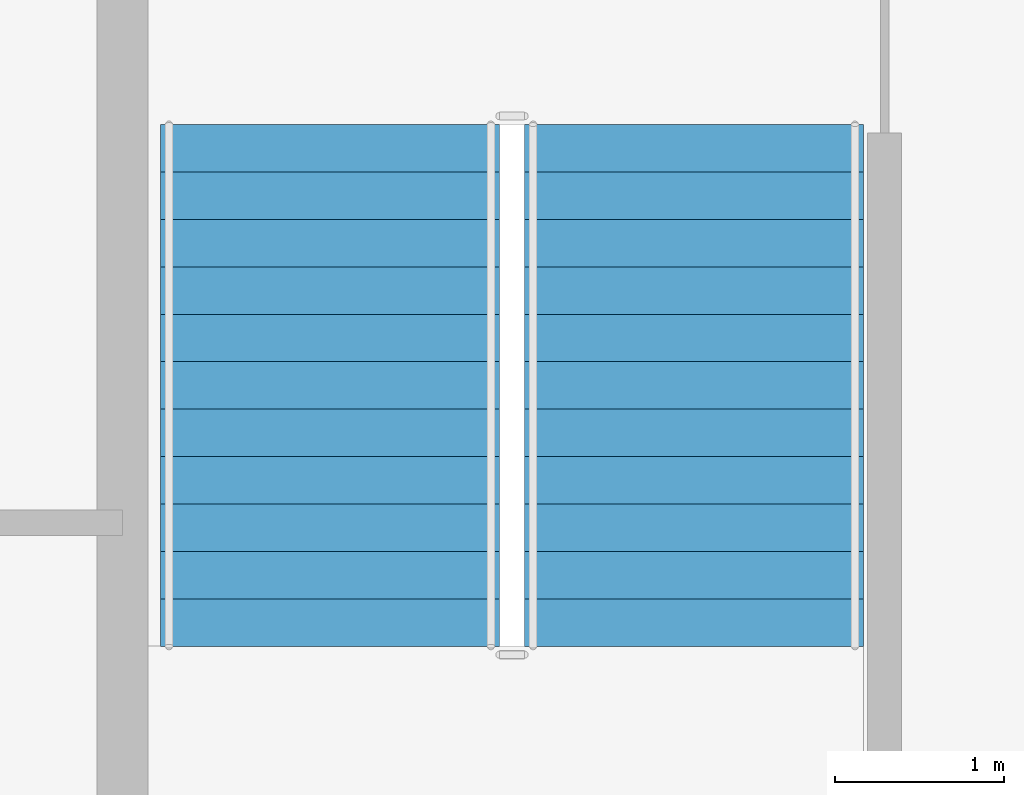
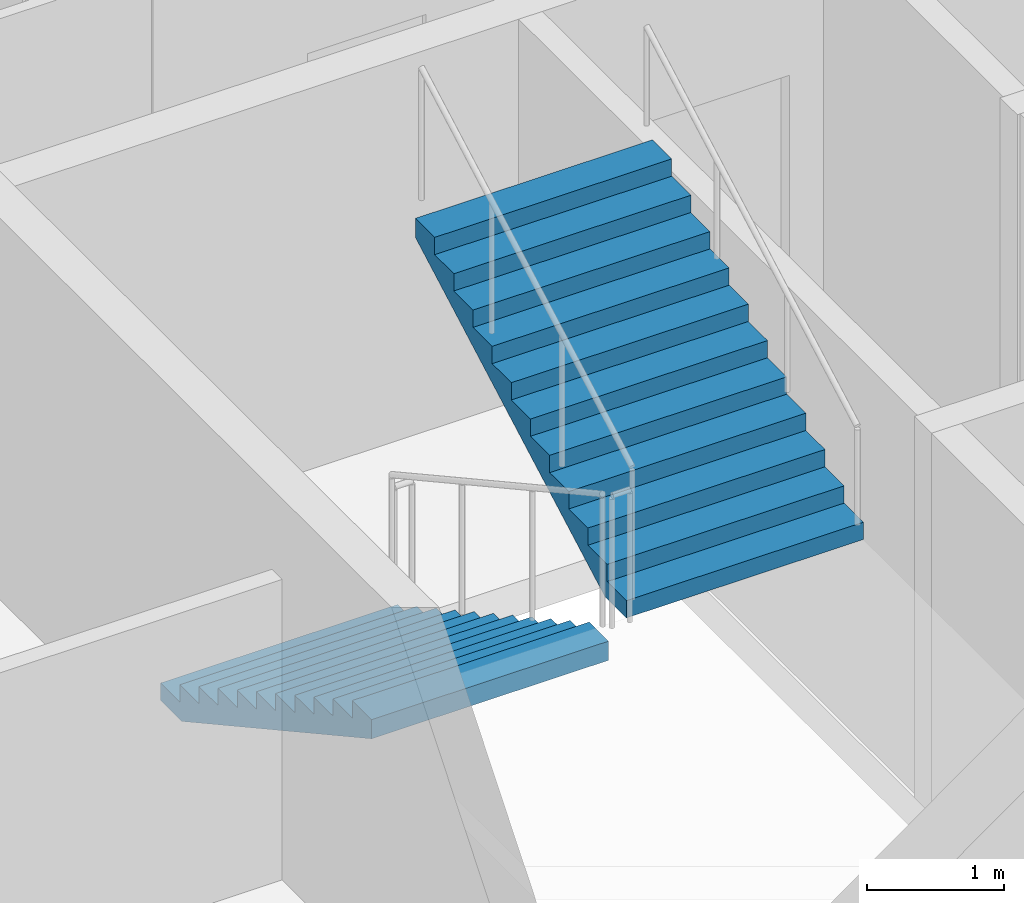
# One storey, part 7 of 11: 2 stair flights, 1 element without a shape of its own.
"""IFC4 building model written with IfcOpenShell, lengths in metres."""

from ifc_helpers import new_model, si_unit, direction, frame, origin, place, context, subcontext, project, spatial, polygons, material, type_object, element, aggregate, save


model = new_model("IFC4")

# Units and contexts
model_context = context("Model", 3, precision=1e-05, world=origin(), true_north=direction((0.0, 1.0)))
body_context = subcontext(model_context, "Body", "Model", "MODEL_VIEW")
ifc_project = project(units=[si_unit("LENGTHUNIT", "METRE"), si_unit("AREAUNIT", "SQUARE_METRE"), si_unit("VOLUMEUNIT", "CUBIC_METRE"), si_unit("PLANEANGLEUNIT", "RADIAN"), si_unit("MASSUNIT", "GRAM", prefix="KILO")], contexts=[model_context])

# Site, building, storey
site_placement = place(None, origin())
site = spatial("IfcSite", under=ifc_project, at=site_placement, CompositionType="ELEMENT")
building_placement = place(site_placement, origin())
building = spatial("IfcBuilding", under=site, at=building_placement, Name="Caravel Reach Hotel and Residences", CompositionType="ELEMENT")
storey_placement = place(building_placement, frame((0.0, 0.0, 263.800048828125)))
storey = spatial("IfcBuildingStorey", under=building, at=storey_placement, Name="L67", CompositionType="ELEMENT", Elevation=263.800048828125)

# Stair, stair flights
ifc_material_1 = material(Name="Concrete C40", Category="concrete")
stair_type = type_object("IfcStairType", Name="Core stair", PredefinedType="HALF_TURN_STAIR", material=ifc_material_1)
stair_placement = place(storey_placement, origin())
stair = element("IfcStair", 1, at=stair_placement, inside=storey, type_object=stair_type, Name="L67 Exit stair A", PredefinedType="HALF_TURN_STAIR")
ifc_material_2 = material(Name="Concrete C40", Category="concrete")
stair_flight_type = type_object("IfcStairFlightType", Name="Core stair flight", PredefinedType="STRAIGHT", material=ifc_material_2)
stair_flight_1_placement = place(storey_placement, frame((19.22509765625, 29.35009765625, 0.0), z_axis=(0.0, 0.0, 1.0), x_axis=(0.0, -1.0, 0.0)))
stair_flight_1 = element("IfcStairFlight", 2, at=stair_flight_1_placement, type_object=stair_flight_type, Name="ST-A flight 1", NumberOfRisers=12, NumberOfTreads=11, PredefinedType="STRAIGHT", RiserHeight=0.154166667, TreadLength=0.28, context=body_context, shape_type="Tessellation", body=[
    polygons([(0.3107950034306102, 1.0, 0.0), (0.3107950034306102, 0.6666666666666667, 0.0), (0.3107950034306102, 0.33333333333333337, 0.0), (0.3107950034306102, 0.0, 0.0), (0.3107950034306102, -0.33333333333333326, 0.0), (0.3107950034306102, -0.6666666666666667, 0.0), (0.3107950034306102, -1.0, 0.0), (3.081, 1.0, 1.524711087717319), (3.081, 0.6666666666666667, 1.524711087717319), (3.081, 0.33333333333333337, 1.524711087717319), (3.081, 0.0, 1.524711087717319), (3.081, -0.33333333333333326, 1.524711087717319), (3.081, -0.6666666666666667, 1.524711087717319), (3.081, -1.0, 1.524711087717319), (3.081, 1.0, 1.695833337), (3.081, 0.6666666666666667, 1.695833337), (3.081, 0.33333333333333337, 1.695833337), (3.081, 0.0, 1.695833337), (3.081, -0.33333333333333326, 1.695833337), (3.081, -0.6666666666666667, 1.695833337), (3.081, -1.0, 1.695833337), (2.8000000000000003, 1.0, 1.695833337), (2.8000000000000003, 0.6666666666666667, 1.695833337), (2.8000000000000003, 0.33333333333333337, 1.695833337), (2.8000000000000003, 0.0, 1.695833337), (2.8000000000000003, -0.33333333333333326, 1.695833337), (2.8000000000000003, -0.6666666666666667, 1.695833337), (2.8000000000000003, -1.0, 1.695833337), (2.8000000000000003, 1.0, 1.5416666700000001), (2.8000000000000003, 0.6666666666666667, 1.5416666700000001), (2.8000000000000003, 0.33333333333333337, 1.5416666700000001), (2.8000000000000003, 0.0, 1.5416666700000001), (2.8000000000000003, -0.33333333333333326, 1.5416666700000001), (2.8000000000000003, -0.6666666666666667, 1.5416666700000001), (2.8000000000000003, -1.0, 1.5416666700000001), (2.5200000000000005, 1.0, 1.5416666700000001), (2.5200000000000005, 0.6666666666666667, 1.5416666700000001), (2.5200000000000005, 0.33333333333333337, 1.5416666700000001), (2.5200000000000005, 0.0, 1.5416666700000001), (2.5200000000000005, -0.33333333333333326, 1.5416666700000001), (2.5200000000000005, -0.6666666666666667, 1.5416666700000001), (2.5200000000000005, -1.0, 1.5416666700000001), (2.5200000000000005, 1.0, 1.387500003), (2.5200000000000005, 0.6666666666666667, 1.387500003), (2.5200000000000005, 0.33333333333333337, 1.387500003), (2.5200000000000005, 0.0, 1.387500003), (2.5200000000000005, -0.33333333333333326, 1.387500003), (2.5200000000000005, -0.6666666666666667, 1.387500003), (2.5200000000000005, -1.0, 1.387500003), (2.24, 1.0, 1.387500003), (2.24, 0.6666666666666667, 1.387500003), (2.24, 0.33333333333333337, 1.387500003), (2.24, 0.0, 1.387500003), (2.24, -0.33333333333333326, 1.387500003), (2.24, -0.6666666666666667, 1.387500003), (2.24, -1.0, 1.387500003), (2.24, 1.0, 1.233333336), (2.24, 0.6666666666666667, 1.233333336), (2.24, 0.33333333333333337, 1.233333336), (2.24, 0.0, 1.233333336), (2.24, -0.33333333333333326, 1.233333336), (2.24, -0.6666666666666667, 1.233333336), (2.24, -1.0, 1.233333336), (1.9600000000000002, 1.0, 1.233333336), (1.9600000000000002, 0.6666666666666667, 1.233333336), (1.9600000000000002, 0.33333333333333337, 1.233333336), (1.9600000000000002, 0.0, 1.233333336), (1.9600000000000002, -0.33333333333333326, 1.233333336), (1.9600000000000002, -0.6666666666666667, 1.233333336), (1.9600000000000002, -1.0, 1.233333336), (1.9600000000000002, 1.0, 1.0791666690000001), (1.9600000000000002, 0.6666666666666667, 1.0791666690000001), (1.9600000000000002, 0.33333333333333337, 1.0791666690000001), (1.9600000000000002, 0.0, 1.0791666690000001), (1.9600000000000002, -0.33333333333333326, 1.0791666690000001), (1.9600000000000002, -0.6666666666666667, 1.0791666690000001), (1.9600000000000002, -1.0, 1.0791666690000001), (1.6800000000000002, 1.0, 1.0791666690000001), (1.6800000000000002, 0.6666666666666667, 1.0791666690000001), (1.6800000000000002, 0.33333333333333337, 1.0791666690000001), (1.6800000000000002, 0.0, 1.0791666690000001), (1.6800000000000002, -0.33333333333333326, 1.0791666690000001), (1.6800000000000002, -0.6666666666666667, 1.0791666690000001), (1.6800000000000002, -1.0, 1.0791666690000001), (1.6800000000000002, 1.0, 0.925000002), (1.6800000000000002, 0.6666666666666667, 0.925000002), (1.6800000000000002, 0.33333333333333337, 0.925000002), (1.6800000000000002, 0.0, 0.925000002), (1.6800000000000002, -0.33333333333333326, 0.925000002), (1.6800000000000002, -0.6666666666666667, 0.925000002), (1.6800000000000002, -1.0, 0.925000002), (1.4000000000000001, 1.0, 0.925000002), (1.4000000000000001, 0.6666666666666667, 0.925000002), (1.4000000000000001, 0.33333333333333337, 0.925000002), (1.4000000000000001, 0.0, 0.925000002), (1.4000000000000001, -0.33333333333333326, 0.925000002), (1.4000000000000001, -0.6666666666666667, 0.925000002), (1.4000000000000001, -1.0, 0.925000002), (1.4000000000000001, 1.0, 0.7708333350000001), (1.4000000000000001, 0.6666666666666667, 0.7708333350000001), (1.4000000000000001, 0.33333333333333337, 0.7708333350000001), (1.4000000000000001, 0.0, 0.7708333350000001), (1.4000000000000001, -0.33333333333333326, 0.7708333350000001), (1.4000000000000001, -0.6666666666666667, 0.7708333350000001), (1.4000000000000001, -1.0, 0.7708333350000001), (1.12, 1.0, 0.7708333350000001), (1.12, 0.6666666666666667, 0.7708333350000001), (1.12, 0.33333333333333337, 0.7708333350000001), (1.12, 0.0, 0.7708333350000001), (1.12, -0.33333333333333326, 0.7708333350000001), (1.12, -0.6666666666666667, 0.7708333350000001), (1.12, -1.0, 0.7708333350000001), (1.12, 1.0, 0.616666668), (1.12, 0.6666666666666667, 0.616666668), (1.12, 0.33333333333333337, 0.616666668), (1.12, 0.0, 0.616666668), (1.12, -0.33333333333333326, 0.616666668), (1.12, -0.6666666666666667, 0.616666668), (1.12, -1.0, 0.616666668), (0.8400000000000001, 1.0, 0.616666668), (0.8400000000000001, 0.6666666666666667, 0.616666668), (0.8400000000000001, 0.33333333333333337, 0.616666668), (0.8400000000000001, 0.0, 0.616666668), (0.8400000000000001, -0.33333333333333326, 0.616666668), (0.8400000000000001, -0.6666666666666667, 0.616666668), (0.8400000000000001, -1.0, 0.616666668), (0.8400000000000001, 1.0, 0.462500001), (0.8400000000000001, 0.6666666666666667, 0.462500001), (0.8400000000000001, 0.33333333333333337, 0.462500001), (0.8400000000000001, 0.0, 0.462500001), (0.8400000000000001, -0.33333333333333326, 0.462500001), (0.8400000000000001, -0.6666666666666667, 0.462500001), (0.8400000000000001, -1.0, 0.462500001), (0.56, 1.0, 0.462500001), (0.56, 0.6666666666666667, 0.462500001), (0.56, 0.33333333333333337, 0.462500001), (0.56, 0.0, 0.462500001), (0.56, -0.33333333333333326, 0.462500001), (0.56, -0.6666666666666667, 0.462500001), (0.56, -1.0, 0.462500001), (0.56, 1.0, 0.308333334), (0.56, 0.6666666666666667, 0.308333334), (0.56, 0.33333333333333337, 0.308333334), (0.56, 0.0, 0.308333334), (0.56, -0.33333333333333326, 0.308333334), (0.56, -0.6666666666666667, 0.308333334), (0.56, -1.0, 0.308333334), (0.28, 1.0, 0.308333334), (0.28, 0.6666666666666667, 0.308333334), (0.28, 0.33333333333333337, 0.308333334), (0.28, 0.0, 0.308333334), (0.28, -0.33333333333333326, 0.308333334), (0.28, -0.6666666666666667, 0.308333334), (0.28, -1.0, 0.308333334), (0.28, 1.0, 0.154166667), (0.28, 0.6666666666666667, 0.154166667), (0.28, 0.33333333333333337, 0.154166667), (0.28, 0.0, 0.154166667), (0.28, -0.33333333333333326, 0.154166667), (0.28, -0.6666666666666667, 0.154166667), (0.28, -1.0, 0.154166667), (-0.001, 1.0, 0.154166667), (-0.001, 0.6666666666666667, 0.154166667), (-0.001, 0.33333333333333337, 0.154166667), (-0.001, 0.0, 0.154166667), (-0.001, -0.33333333333333326, 0.154166667), (-0.001, -0.6666666666666667, 0.154166667), (-0.001, -1.0, 0.154166667), (-0.001, 1.0, 0.0), (-0.001, 0.6666666666666667, 0.0), (-0.001, 0.33333333333333337, 0.0), (-0.001, 0.0, 0.0), (-0.001, -0.33333333333333326, 0.0), (-0.001, -0.6666666666666667, 0.0), (-0.001, -1.0, 0.0)], [[[169, 162, 155, 148, 141, 134, 127, 120, 113, 106, 99, 92, 85, 78, 71, 64, 57, 50, 43, 36, 29, 22, 15, 8, 1]], [[7, 14, 21, 28, 35, 42, 49, 56, 63, 70, 77, 84, 91, 98, 105, 112, 119, 126, 133, 140, 147, 154, 161, 168, 175]], [[1, 8, 9, 2]], [[2, 9, 10, 3]], [[3, 10, 11, 4]], [[4, 11, 12, 5]], [[5, 12, 13, 6]], [[6, 13, 14, 7]], [[8, 15, 16, 9]], [[9, 16, 17, 10]], [[10, 17, 18, 11]], [[11, 18, 19, 12]], [[12, 19, 20, 13]], [[13, 20, 21, 14]], [[15, 22, 23, 16]], [[16, 23, 24, 17]], [[17, 24, 25, 18]], [[18, 25, 26, 19]], [[19, 26, 27, 20]], [[20, 27, 28, 21]], [[22, 29, 30, 23]], [[23, 30, 31, 24]], [[24, 31, 32, 25]], [[25, 32, 33, 26]], [[26, 33, 34, 27]], [[27, 34, 35, 28]], [[29, 36, 37, 30]], [[30, 37, 38, 31]], [[31, 38, 39, 32]], [[32, 39, 40, 33]], [[33, 40, 41, 34]], [[34, 41, 42, 35]], [[36, 43, 44, 37]], [[37, 44, 45, 38]], [[38, 45, 46, 39]], [[39, 46, 47, 40]], [[40, 47, 48, 41]], [[41, 48, 49, 42]], [[43, 50, 51, 44]], [[44, 51, 52, 45]], [[45, 52, 53, 46]], [[46, 53, 54, 47]], [[47, 54, 55, 48]], [[48, 55, 56, 49]], [[50, 57, 58, 51]], [[51, 58, 59, 52]], [[52, 59, 60, 53]], [[53, 60, 61, 54]], [[54, 61, 62, 55]], [[55, 62, 63, 56]], [[57, 64, 65, 58]], [[58, 65, 66, 59]], [[59, 66, 67, 60]], [[60, 67, 68, 61]], [[61, 68, 69, 62]], [[62, 69, 70, 63]], [[64, 71, 72, 65]], [[65, 72, 73, 66]], [[66, 73, 74, 67]], [[67, 74, 75, 68]], [[68, 75, 76, 69]], [[69, 76, 77, 70]], [[71, 78, 79, 72]], [[72, 79, 80, 73]], [[73, 80, 81, 74]], [[74, 81, 82, 75]], [[75, 82, 83, 76]], [[76, 83, 84, 77]], [[78, 85, 86, 79]], [[79, 86, 87, 80]], [[80, 87, 88, 81]], [[81, 88, 89, 82]], [[82, 89, 90, 83]], [[83, 90, 91, 84]], [[85, 92, 93, 86]], [[86, 93, 94, 87]], [[87, 94, 95, 88]], [[88, 95, 96, 89]], [[89, 96, 97, 90]], [[90, 97, 98, 91]], [[92, 99, 100, 93]], [[93, 100, 101, 94]], [[94, 101, 102, 95]], [[95, 102, 103, 96]], [[96, 103, 104, 97]], [[97, 104, 105, 98]], [[99, 106, 107, 100]], [[100, 107, 108, 101]], [[101, 108, 109, 102]], [[102, 109, 110, 103]], [[103, 110, 111, 104]], [[104, 111, 112, 105]], [[106, 113, 114, 107]], [[107, 114, 115, 108]], [[108, 115, 116, 109]], [[109, 116, 117, 110]], [[110, 117, 118, 111]], [[111, 118, 119, 112]], [[113, 120, 121, 114]], [[114, 121, 122, 115]], [[115, 122, 123, 116]], [[116, 123, 124, 117]], [[117, 124, 125, 118]], [[118, 125, 126, 119]], [[120, 127, 128, 121]], [[121, 128, 129, 122]], [[122, 129, 130, 123]], [[123, 130, 131, 124]], [[124, 131, 132, 125]], [[125, 132, 133, 126]], [[127, 134, 135, 128]], [[128, 135, 136, 129]], [[129, 136, 137, 130]], [[130, 137, 138, 131]], [[131, 138, 139, 132]], [[132, 139, 140, 133]], [[134, 141, 142, 135]], [[135, 142, 143, 136]], [[136, 143, 144, 137]], [[137, 144, 145, 138]], [[138, 145, 146, 139]], [[139, 146, 147, 140]], [[141, 148, 149, 142]], [[142, 149, 150, 143]], [[143, 150, 151, 144]], [[144, 151, 152, 145]], [[145, 152, 153, 146]], [[146, 153, 154, 147]], [[148, 155, 156, 149]], [[149, 156, 157, 150]], [[150, 157, 158, 151]], [[151, 158, 159, 152]], [[152, 159, 160, 153]], [[153, 160, 161, 154]], [[155, 162, 163, 156]], [[156, 163, 164, 157]], [[157, 164, 165, 158]], [[158, 165, 166, 159]], [[159, 166, 167, 160]], [[160, 167, 168, 161]], [[162, 169, 170, 163]], [[163, 170, 171, 164]], [[164, 171, 172, 165]], [[165, 172, 173, 166]], [[166, 173, 174, 167]], [[167, 174, 175, 168]], [[169, 1, 2, 170]], [[170, 2, 3, 171]], [[171, 3, 4, 172]], [[172, 4, 5, 173]], [[173, 5, 6, 174]], [[174, 6, 7, 175]]], closed=True),
])
stair_flight_2_placement = place(storey_placement, frame((21.375, 26.27001953125, 1.849853515625), z_axis=(0.0, 0.0, 1.0), x_axis=(0.0, 1.0, 0.0)))
stair_flight_2 = element("IfcStairFlight", 3, at=stair_flight_2_placement, type_object=stair_flight_type, Name="ST-A flight 2", NumberOfRisers=12, NumberOfTreads=11, PredefinedType="STRAIGHT", RiserHeight=0.154166667, TreadLength=0.28, context=body_context, shape_type="Tessellation", body=[
    polygons([(0.3107950034306102, 1.0, 0.0), (0.3107950034306102, 0.6666666666666667, 0.0), (0.3107950034306102, 0.33333333333333337, 0.0), (0.3107950034306102, 0.0, 0.0), (0.3107950034306102, -0.33333333333333326, 0.0), (0.3107950034306102, -0.6666666666666667, 0.0), (0.3107950034306102, -1.0, 0.0), (3.081, 1.0, 1.524711087717319), (3.081, 0.6666666666666667, 1.524711087717319), (3.081, 0.33333333333333337, 1.524711087717319), (3.081, 0.0, 1.524711087717319), (3.081, -0.33333333333333326, 1.524711087717319), (3.081, -0.6666666666666667, 1.524711087717319), (3.081, -1.0, 1.524711087717319), (3.081, 1.0, 1.695833337), (3.081, 0.6666666666666667, 1.695833337), (3.081, 0.33333333333333337, 1.695833337), (3.081, 0.0, 1.695833337), (3.081, -0.33333333333333326, 1.695833337), (3.081, -0.6666666666666667, 1.695833337), (3.081, -1.0, 1.695833337), (2.8000000000000003, 1.0, 1.695833337), (2.8000000000000003, 0.6666666666666667, 1.695833337), (2.8000000000000003, 0.33333333333333337, 1.695833337), (2.8000000000000003, 0.0, 1.695833337), (2.8000000000000003, -0.33333333333333326, 1.695833337), (2.8000000000000003, -0.6666666666666667, 1.695833337), (2.8000000000000003, -1.0, 1.695833337), (2.8000000000000003, 1.0, 1.5416666700000001), (2.8000000000000003, 0.6666666666666667, 1.5416666700000001), (2.8000000000000003, 0.33333333333333337, 1.5416666700000001), (2.8000000000000003, 0.0, 1.5416666700000001), (2.8000000000000003, -0.33333333333333326, 1.5416666700000001), (2.8000000000000003, -0.6666666666666667, 1.5416666700000001), (2.8000000000000003, -1.0, 1.5416666700000001), (2.5200000000000005, 1.0, 1.5416666700000001), (2.5200000000000005, 0.6666666666666667, 1.5416666700000001), (2.5200000000000005, 0.33333333333333337, 1.5416666700000001), (2.5200000000000005, 0.0, 1.5416666700000001), (2.5200000000000005, -0.33333333333333326, 1.5416666700000001), (2.5200000000000005, -0.6666666666666667, 1.5416666700000001), (2.5200000000000005, -1.0, 1.5416666700000001), (2.5200000000000005, 1.0, 1.387500003), (2.5200000000000005, 0.6666666666666667, 1.387500003), (2.5200000000000005, 0.33333333333333337, 1.387500003), (2.5200000000000005, 0.0, 1.387500003), (2.5200000000000005, -0.33333333333333326, 1.387500003), (2.5200000000000005, -0.6666666666666667, 1.387500003), (2.5200000000000005, -1.0, 1.387500003), (2.24, 1.0, 1.387500003), (2.24, 0.6666666666666667, 1.387500003), (2.24, 0.33333333333333337, 1.387500003), (2.24, 0.0, 1.387500003), (2.24, -0.33333333333333326, 1.387500003), (2.24, -0.6666666666666667, 1.387500003), (2.24, -1.0, 1.387500003), (2.24, 1.0, 1.233333336), (2.24, 0.6666666666666667, 1.233333336), (2.24, 0.33333333333333337, 1.233333336), (2.24, 0.0, 1.233333336), (2.24, -0.33333333333333326, 1.233333336), (2.24, -0.6666666666666667, 1.233333336), (2.24, -1.0, 1.233333336), (1.9600000000000002, 1.0, 1.233333336), (1.9600000000000002, 0.6666666666666667, 1.233333336), (1.9600000000000002, 0.33333333333333337, 1.233333336), (1.9600000000000002, 0.0, 1.233333336), (1.9600000000000002, -0.33333333333333326, 1.233333336), (1.9600000000000002, -0.6666666666666667, 1.233333336), (1.9600000000000002, -1.0, 1.233333336), (1.9600000000000002, 1.0, 1.0791666690000001), (1.9600000000000002, 0.6666666666666667, 1.0791666690000001), (1.9600000000000002, 0.33333333333333337, 1.0791666690000001), (1.9600000000000002, 0.0, 1.0791666690000001), (1.9600000000000002, -0.33333333333333326, 1.0791666690000001), (1.9600000000000002, -0.6666666666666667, 1.0791666690000001), (1.9600000000000002, -1.0, 1.0791666690000001), (1.6800000000000002, 1.0, 1.0791666690000001), (1.6800000000000002, 0.6666666666666667, 1.0791666690000001), (1.6800000000000002, 0.33333333333333337, 1.0791666690000001), (1.6800000000000002, 0.0, 1.0791666690000001), (1.6800000000000002, -0.33333333333333326, 1.0791666690000001), (1.6800000000000002, -0.6666666666666667, 1.0791666690000001), (1.6800000000000002, -1.0, 1.0791666690000001), (1.6800000000000002, 1.0, 0.925000002), (1.6800000000000002, 0.6666666666666667, 0.925000002), (1.6800000000000002, 0.33333333333333337, 0.925000002), (1.6800000000000002, 0.0, 0.925000002), (1.6800000000000002, -0.33333333333333326, 0.925000002), (1.6800000000000002, -0.6666666666666667, 0.925000002), (1.6800000000000002, -1.0, 0.925000002), (1.4000000000000001, 1.0, 0.925000002), (1.4000000000000001, 0.6666666666666667, 0.925000002), (1.4000000000000001, 0.33333333333333337, 0.925000002), (1.4000000000000001, 0.0, 0.925000002), (1.4000000000000001, -0.33333333333333326, 0.925000002), (1.4000000000000001, -0.6666666666666667, 0.925000002), (1.4000000000000001, -1.0, 0.925000002), (1.4000000000000001, 1.0, 0.7708333350000001), (1.4000000000000001, 0.6666666666666667, 0.7708333350000001), (1.4000000000000001, 0.33333333333333337, 0.7708333350000001), (1.4000000000000001, 0.0, 0.7708333350000001), (1.4000000000000001, -0.33333333333333326, 0.7708333350000001), (1.4000000000000001, -0.6666666666666667, 0.7708333350000001), (1.4000000000000001, -1.0, 0.7708333350000001), (1.12, 1.0, 0.7708333350000001), (1.12, 0.6666666666666667, 0.7708333350000001), (1.12, 0.33333333333333337, 0.7708333350000001), (1.12, 0.0, 0.7708333350000001), (1.12, -0.33333333333333326, 0.7708333350000001), (1.12, -0.6666666666666667, 0.7708333350000001), (1.12, -1.0, 0.7708333350000001), (1.12, 1.0, 0.616666668), (1.12, 0.6666666666666667, 0.616666668), (1.12, 0.33333333333333337, 0.616666668), (1.12, 0.0, 0.616666668), (1.12, -0.33333333333333326, 0.616666668), (1.12, -0.6666666666666667, 0.616666668), (1.12, -1.0, 0.616666668), (0.8400000000000001, 1.0, 0.616666668), (0.8400000000000001, 0.6666666666666667, 0.616666668), (0.8400000000000001, 0.33333333333333337, 0.616666668), (0.8400000000000001, 0.0, 0.616666668), (0.8400000000000001, -0.33333333333333326, 0.616666668), (0.8400000000000001, -0.6666666666666667, 0.616666668), (0.8400000000000001, -1.0, 0.616666668), (0.8400000000000001, 1.0, 0.462500001), (0.8400000000000001, 0.6666666666666667, 0.462500001), (0.8400000000000001, 0.33333333333333337, 0.462500001), (0.8400000000000001, 0.0, 0.462500001), (0.8400000000000001, -0.33333333333333326, 0.462500001), (0.8400000000000001, -0.6666666666666667, 0.462500001), (0.8400000000000001, -1.0, 0.462500001), (0.56, 1.0, 0.462500001), (0.56, 0.6666666666666667, 0.462500001), (0.56, 0.33333333333333337, 0.462500001), (0.56, 0.0, 0.462500001), (0.56, -0.33333333333333326, 0.462500001), (0.56, -0.6666666666666667, 0.462500001), (0.56, -1.0, 0.462500001), (0.56, 1.0, 0.308333334), (0.56, 0.6666666666666667, 0.308333334), (0.56, 0.33333333333333337, 0.308333334), (0.56, 0.0, 0.308333334), (0.56, -0.33333333333333326, 0.308333334), (0.56, -0.6666666666666667, 0.308333334), (0.56, -1.0, 0.308333334), (0.28, 1.0, 0.308333334), (0.28, 0.6666666666666667, 0.308333334), (0.28, 0.33333333333333337, 0.308333334), (0.28, 0.0, 0.308333334), (0.28, -0.33333333333333326, 0.308333334), (0.28, -0.6666666666666667, 0.308333334), (0.28, -1.0, 0.308333334), (0.28, 1.0, 0.154166667), (0.28, 0.6666666666666667, 0.154166667), (0.28, 0.33333333333333337, 0.154166667), (0.28, 0.0, 0.154166667), (0.28, -0.33333333333333326, 0.154166667), (0.28, -0.6666666666666667, 0.154166667), (0.28, -1.0, 0.154166667), (-0.001, 1.0, 0.154166667), (-0.001, 0.6666666666666667, 0.154166667), (-0.001, 0.33333333333333337, 0.154166667), (-0.001, 0.0, 0.154166667), (-0.001, -0.33333333333333326, 0.154166667), (-0.001, -0.6666666666666667, 0.154166667), (-0.001, -1.0, 0.154166667), (-0.001, 1.0, 0.0), (-0.001, 0.6666666666666667, 0.0), (-0.001, 0.33333333333333337, 0.0), (-0.001, 0.0, 0.0), (-0.001, -0.33333333333333326, 0.0), (-0.001, -0.6666666666666667, 0.0), (-0.001, -1.0, 0.0)], [[[169, 162, 155, 148, 141, 134, 127, 120, 113, 106, 99, 92, 85, 78, 71, 64, 57, 50, 43, 36, 29, 22, 15, 8, 1]], [[7, 14, 21, 28, 35, 42, 49, 56, 63, 70, 77, 84, 91, 98, 105, 112, 119, 126, 133, 140, 147, 154, 161, 168, 175]], [[1, 8, 9, 2]], [[2, 9, 10, 3]], [[3, 10, 11, 4]], [[4, 11, 12, 5]], [[5, 12, 13, 6]], [[6, 13, 14, 7]], [[8, 15, 16, 9]], [[9, 16, 17, 10]], [[10, 17, 18, 11]], [[11, 18, 19, 12]], [[12, 19, 20, 13]], [[13, 20, 21, 14]], [[15, 22, 23, 16]], [[16, 23, 24, 17]], [[17, 24, 25, 18]], [[18, 25, 26, 19]], [[19, 26, 27, 20]], [[20, 27, 28, 21]], [[22, 29, 30, 23]], [[23, 30, 31, 24]], [[24, 31, 32, 25]], [[25, 32, 33, 26]], [[26, 33, 34, 27]], [[27, 34, 35, 28]], [[29, 36, 37, 30]], [[30, 37, 38, 31]], [[31, 38, 39, 32]], [[32, 39, 40, 33]], [[33, 40, 41, 34]], [[34, 41, 42, 35]], [[36, 43, 44, 37]], [[37, 44, 45, 38]], [[38, 45, 46, 39]], [[39, 46, 47, 40]], [[40, 47, 48, 41]], [[41, 48, 49, 42]], [[43, 50, 51, 44]], [[44, 51, 52, 45]], [[45, 52, 53, 46]], [[46, 53, 54, 47]], [[47, 54, 55, 48]], [[48, 55, 56, 49]], [[50, 57, 58, 51]], [[51, 58, 59, 52]], [[52, 59, 60, 53]], [[53, 60, 61, 54]], [[54, 61, 62, 55]], [[55, 62, 63, 56]], [[57, 64, 65, 58]], [[58, 65, 66, 59]], [[59, 66, 67, 60]], [[60, 67, 68, 61]], [[61, 68, 69, 62]], [[62, 69, 70, 63]], [[64, 71, 72, 65]], [[65, 72, 73, 66]], [[66, 73, 74, 67]], [[67, 74, 75, 68]], [[68, 75, 76, 69]], [[69, 76, 77, 70]], [[71, 78, 79, 72]], [[72, 79, 80, 73]], [[73, 80, 81, 74]], [[74, 81, 82, 75]], [[75, 82, 83, 76]], [[76, 83, 84, 77]], [[78, 85, 86, 79]], [[79, 86, 87, 80]], [[80, 87, 88, 81]], [[81, 88, 89, 82]], [[82, 89, 90, 83]], [[83, 90, 91, 84]], [[85, 92, 93, 86]], [[86, 93, 94, 87]], [[87, 94, 95, 88]], [[88, 95, 96, 89]], [[89, 96, 97, 90]], [[90, 97, 98, 91]], [[92, 99, 100, 93]], [[93, 100, 101, 94]], [[94, 101, 102, 95]], [[95, 102, 103, 96]], [[96, 103, 104, 97]], [[97, 104, 105, 98]], [[99, 106, 107, 100]], [[100, 107, 108, 101]], [[101, 108, 109, 102]], [[102, 109, 110, 103]], [[103, 110, 111, 104]], [[104, 111, 112, 105]], [[106, 113, 114, 107]], [[107, 114, 115, 108]], [[108, 115, 116, 109]], [[109, 116, 117, 110]], [[110, 117, 118, 111]], [[111, 118, 119, 112]], [[113, 120, 121, 114]], [[114, 121, 122, 115]], [[115, 122, 123, 116]], [[116, 123, 124, 117]], [[117, 124, 125, 118]], [[118, 125, 126, 119]], [[120, 127, 128, 121]], [[121, 128, 129, 122]], [[122, 129, 130, 123]], [[123, 130, 131, 124]], [[124, 131, 132, 125]], [[125, 132, 133, 126]], [[127, 134, 135, 128]], [[128, 135, 136, 129]], [[129, 136, 137, 130]], [[130, 137, 138, 131]], [[131, 138, 139, 132]], [[132, 139, 140, 133]], [[134, 141, 142, 135]], [[135, 142, 143, 136]], [[136, 143, 144, 137]], [[137, 144, 145, 138]], [[138, 145, 146, 139]], [[139, 146, 147, 140]], [[141, 148, 149, 142]], [[142, 149, 150, 143]], [[143, 150, 151, 144]], [[144, 151, 152, 145]], [[145, 152, 153, 146]], [[146, 153, 154, 147]], [[148, 155, 156, 149]], [[149, 156, 157, 150]], [[150, 157, 158, 151]], [[151, 158, 159, 152]], [[152, 159, 160, 153]], [[153, 160, 161, 154]], [[155, 162, 163, 156]], [[156, 163, 164, 157]], [[157, 164, 165, 158]], [[158, 165, 166, 159]], [[159, 166, 167, 160]], [[160, 167, 168, 161]], [[162, 169, 170, 163]], [[163, 170, 171, 164]], [[164, 171, 172, 165]], [[165, 172, 173, 166]], [[166, 173, 174, 167]], [[167, 174, 175, 168]], [[169, 1, 2, 170]], [[170, 2, 3, 171]], [[171, 3, 4, 172]], [[172, 4, 5, 173]], [[173, 5, 6, 174]], [[174, 6, 7, 175]]], closed=True),
])
aggregate(stair, [stair_flight_1, stair_flight_2])

save(model, "model.ifc")
